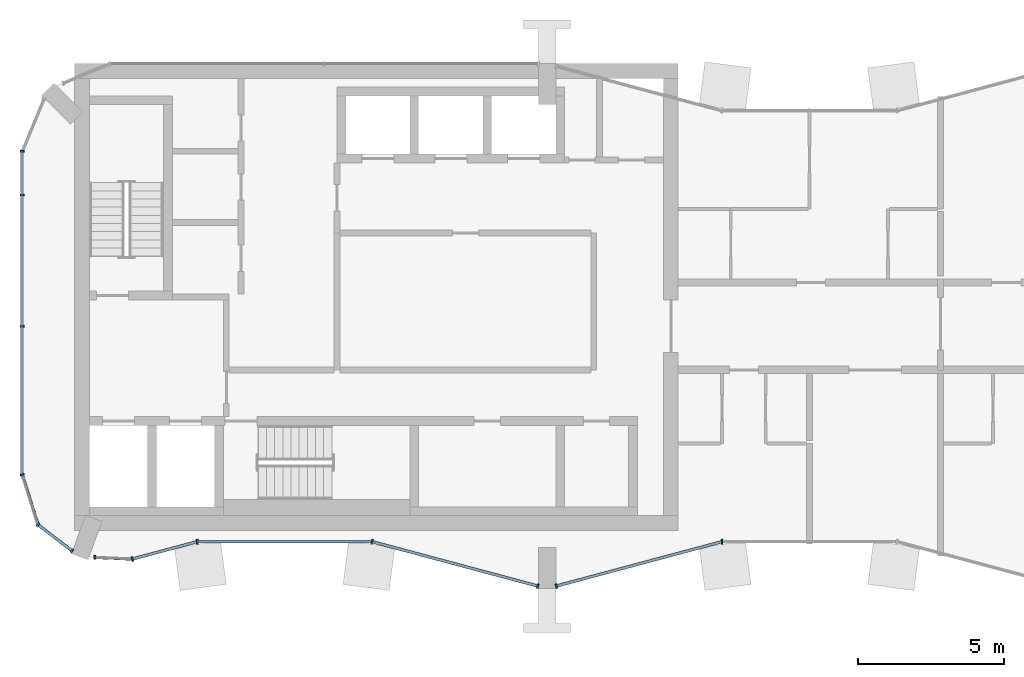
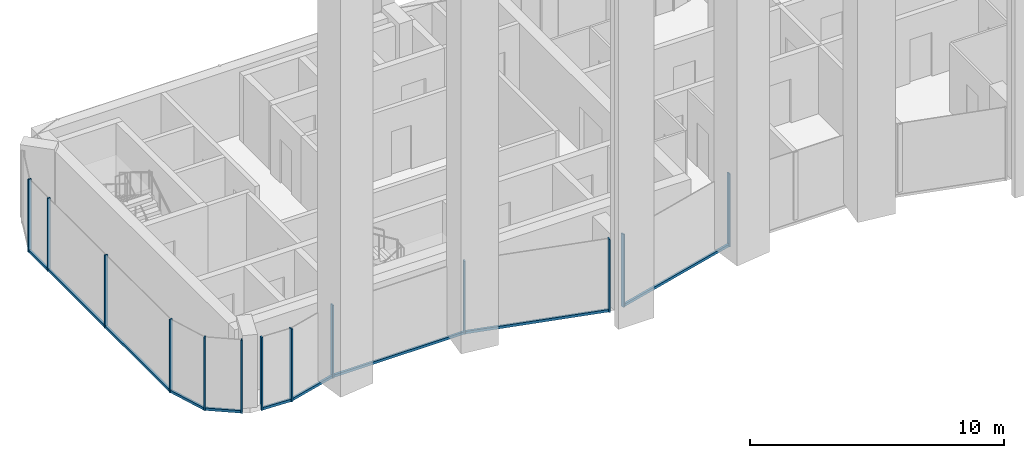
# One storey, part 2 of 11: 21 members, 9 elements without a shape of their own.
"""IFC4 building model written with IfcOpenShell, lengths in metres."""

from ifc_helpers import new_model, si_unit, direction, frame, origin, origin_2d, place, context, subcontext, project, spatial, rectangle, extrude, material, layer, layer_set, material_profile, profile_set, type_object, element, aggregate, save


model = new_model("IFC4")

# Units and contexts
model_context = context("Model", 3, precision=1e-05, world=origin(), true_north=direction((0.0, 1.0)))
body_context = subcontext(model_context, "Body", "Model", "MODEL_VIEW")
ifc_project = project(units=[si_unit("LENGTHUNIT", "METRE"), si_unit("AREAUNIT", "SQUARE_METRE"), si_unit("VOLUMEUNIT", "CUBIC_METRE"), si_unit("PLANEANGLEUNIT", "RADIAN"), si_unit("MASSUNIT", "GRAM", prefix="KILO")], contexts=[model_context])

# Site, building, storey
site_placement = place(None, origin())
site = spatial("IfcSite", under=ifc_project, at=site_placement, CompositionType="ELEMENT")
building_placement = place(site_placement, origin())
building = spatial("IfcBuilding", under=site, at=building_placement, Name="Plateau Cross Towers", CompositionType="ELEMENT")
storey_placement = place(building_placement, frame((0.0, 0.0, 242.39990234375)))
storey = spatial("IfcBuildingStorey", under=building, at=storey_placement, Name="L63", CompositionType="ELEMENT", Elevation=242.39990234375)

# Curtain wall, members
ifc_material_1 = material(Name="Dark low-iron glass", Category="glass")
ifc_layer_1 = layer(ifc_material_1, 0.239990234375)
ifc_layer_set_1 = layer_set([ifc_layer_1], Name="Dark low-iron glass")
curtain_wall_type_1 = type_object("IfcCurtainWallType", Name="Curtain wall flush unitised CW-B", PredefinedType="NOTDEFINED", material=ifc_layer_set_1)
curtain_wall_1_placement = place(storey_placement, origin())
curtain_wall_1 = element("IfcCurtainWall", 1, at=curtain_wall_1_placement, inside=storey, type_object=curtain_wall_type_1, Name="ENV/A/L63/A0_150", PredefinedType="NOTDEFINED")
ifc_material_2 = material(Name="Black anodised aluminium", Category="aluminium")
ifc_material_profile_1 = material_profile(ifc_material_2, rectangle(XDim=0.06005859375, YDim=0.139892578125, at=origin_2d()), Name="MULLION 60x140")
ifc_profile_set_1 = profile_set([ifc_material_profile_1], Name="Black anodised aluminium")
member_type_1 = type_object("IfcMemberType", Name="Mullion 60x140 flush unitised", PredefinedType="MULLION", material=ifc_profile_set_1)
member_1_placement = place(storey_placement, frame((0.0, 15.0, -0.25), z_axis=(0.0, 0.0, 1.0), x_axis=(0.0, -1.0, 0.0)))
member_1 = element("IfcMember", 2, at=member_1_placement, type_object=member_type_1, Name="CW-B mullion 1", PredefinedType="MULLION", context=body_context, shape_type="SweptSolid", body=[
    extrude(rectangle(XDim=0.06005859375, YDim=0.139892578125, at=origin_2d()), origin(), (0.0, 0.0, 1.0), 3.5),
])
member_2_placement = place(storey_placement, frame((0.0, 13.5, -0.25), z_axis=(0.0, 0.0, 1.0), x_axis=(0.0, -1.0, 0.0)))
member_2 = element("IfcMember", 3, at=member_2_placement, type_object=member_type_1, Name="CW-B mullion 2", PredefinedType="MULLION", context=body_context, shape_type="SweptSolid", body=[
    extrude(rectangle(XDim=0.06005859375, YDim=0.139892578125, at=origin_2d()), origin(), (0.0, 0.0, 1.0), 3.5),
])
member_3_placement = place(storey_placement, frame((0.0, 9.0, -0.25), z_axis=(0.0, 0.0, 1.0), x_axis=(0.0, -1.0, 0.0)))
member_3 = element("IfcMember", 4, at=member_3_placement, type_object=member_type_1, Name="CW-B mullion 3", PredefinedType="MULLION", context=body_context, shape_type="SweptSolid", body=[
    extrude(rectangle(XDim=0.06005859375, YDim=0.139892578125, at=origin_2d()), origin(), (0.0, 0.0, 1.0), 3.5),
])

# Curtain wall, member
curtain_wall_2_placement = place(storey_placement, origin())
curtain_wall_2 = element("IfcCurtainWall", 5, at=curtain_wall_2_placement, inside=storey, type_object=curtain_wall_type_1, Name="ENV/A/L63/A0_39", PredefinedType="NOTDEFINED")
member_4_placement = place(storey_placement, frame((0.0, 3.9091796875, -0.25), z_axis=(0.0, 0.0, 1.0), x_axis=(0.300686174994, -0.95372313811, 0.0)))
member_4 = element("IfcMember", 6, at=member_4_placement, type_object=member_type_1, Name="CW-B mullion 1", PredefinedType="MULLION", context=body_context, shape_type="SweptSolid", body=[
    extrude(rectangle(XDim=0.06005859375, YDim=0.139892578125, at=origin_2d()), origin(), (0.0, 0.0, 1.0), 3.5),
])

# Curtain wall, members
curtain_wall_3_placement = place(storey_placement, origin())
curtain_wall_3 = element("IfcCurtainWall", 7, at=curtain_wall_3_placement, inside=storey, type_object=curtain_wall_type_1, Name="ENV/A/L63/A5_22", PredefinedType="NOTDEFINED")
member_5_placement = place(storey_placement, frame((0.54248046875, 2.1884765625, -0.25), z_axis=(0.0, 0.0, 1.0), x_axis=(0.793315514529, -0.608810721331, 0.0)))
member_5 = element("IfcMember", 8, at=member_5_placement, type_object=member_type_1, Name="CW-B mullion 1", PredefinedType="MULLION", context=body_context, shape_type="SweptSolid", body=[
    extrude(rectangle(XDim=0.06005859375, YDim=0.139892578125, at=origin_2d()), origin(), (0.0, 0.0, 1.0), 3.5),
])
member_6_placement = place(storey_placement, frame((1.709716796875, 1.292724609375, -0.25), z_axis=(0.0, 0.0, 1.0), x_axis=(0.793315514529, -0.608810721331, 0.0)))
member_6 = element("IfcMember", 9, at=member_6_placement, type_object=member_type_1, Name="CW-B mullion 2", PredefinedType="MULLION", context=body_context, shape_type="SweptSolid", body=[
    extrude(rectangle(XDim=0.06005859375, YDim=0.139892578125, at=origin_2d()), origin(), (0.0, 0.0, 1.0), 3.5),
])

# Curtain wall, member
curtain_wall_4_placement = place(storey_placement, origin())
curtain_wall_4 = element("IfcCurtainWall", 10, at=curtain_wall_4_placement, inside=storey, type_object=curtain_wall_type_1, Name="ENV/A/L63/A25_11", PredefinedType="NOTDEFINED")
member_7_placement = place(storey_placement, frame((2.483642578125, 1.06787109375, -0.25), z_axis=(0.0, 0.0, 1.0), x_axis=(0.999043701491, -0.043722791671, 0.0)))
member_7 = element("IfcMember", 11, at=member_7_placement, type_object=member_type_1, Name="CW-B mullion 1", PredefinedType="MULLION", context=body_context, shape_type="SweptSolid", body=[
    extrude(rectangle(XDim=0.06005859375, YDim=0.139892578125, at=origin_2d()), origin(), (0.0, 0.0, 1.0), 3.5),
])

ifc_layer_2 = layer(ifc_material_1, 0.260009765625)
ifc_layer_set_2 = layer_set([ifc_layer_2], Name="Dark low-iron glass")
curtain_wall_type_2 = type_object("IfcCurtainWallType", Name="Curtain wall fluted unitised CW-A", PredefinedType="NOTDEFINED", material=ifc_layer_set_2)
curtain_wall_5_placement = place(storey_placement, origin())
curtain_wall_5 = element("IfcCurtainWall", 12, at=curtain_wall_5_placement, inside=storey, type_object=curtain_wall_type_2, Name="ENV/A/L63/A38_10", PredefinedType="NOTDEFINED")
ifc_material_profile_2 = material_profile(ifc_material_2, rectangle(XDim=0.06005859375, YDim=0.159912109375, at=origin_2d()), Name="MULLION 60x160")
ifc_profile_set_2 = profile_set([ifc_material_profile_2], Name="Black anodised aluminium")
member_type_2 = type_object("IfcMemberType", Name="Mullion 60x160 fluted unitised", PredefinedType="MULLION", material=ifc_profile_set_2)
member_8_placement = place(storey_placement, frame((3.776123046875, 1.01123046875, -0.25), z_axis=(0.0, 0.0, 1.0), x_axis=(0.965957962328, 0.258699081978, 0.0)))
member_8 = element("IfcMember", 13, at=member_8_placement, type_object=member_type_2, Name="CW-A mullion 1", PredefinedType="MULLION", context=body_context, shape_type="SweptSolid", body=[
    extrude(rectangle(XDim=0.06005859375, YDim=0.159912109375, at=origin_2d()), origin(), (0.0, 0.0, 1.0), 3.5),
])

curtain_wall_6_placement = place(storey_placement, origin())
curtain_wall_6 = element("IfcCurtainWall", 14, at=curtain_wall_6_placement, inside=storey, type_object=curtain_wall_type_2, Name="ENV/A/L63/A60_16", PredefinedType="NOTDEFINED")
member_9_placement = place(storey_placement, frame((6.0, 1.60693359375, -0.25), z_axis=(0.0, 0.0, 1.0), x_axis=(1.0, 0.0, 0.0)))
member_9 = element("IfcMember", 15, at=member_9_placement, type_object=member_type_2, Name="CW-A mullion 1", PredefinedType="MULLION", context=body_context, shape_type="SweptSolid", body=[
    extrude(rectangle(XDim=0.06005859375, YDim=0.159912109375, at=origin_2d()), origin(), (0.0, 0.0, 1.0), 3.5),
])

# Curtain wall, members
curtain_wall_7_placement = place(storey_placement, origin())
curtain_wall_7 = element("IfcCurtainWall", 16, at=curtain_wall_7_placement, inside=storey, type_object=curtain_wall_type_2, Name="ENV/A/L63/A120_16", PredefinedType="NOTDEFINED")
member_10_placement = place(storey_placement, frame((12.0, 1.60693359375, -0.25), z_axis=(0.0, 0.0, 1.0), x_axis=(0.965957983404, -0.258699003279, 0.0)))
member_10 = element("IfcMember", 17, at=member_10_placement, type_object=member_type_2, Name="CW-A mullion 1", PredefinedType="MULLION", context=body_context, shape_type="SweptSolid", body=[
    extrude(rectangle(XDim=0.06005859375, YDim=0.159912109375, at=origin_2d()), origin(), (0.0, 0.0, 1.0), 3.5),
])
member_11_placement = place(storey_placement, frame((17.68212890625, 0.085205078125, -0.25), z_axis=(0.0, 0.0, 1.0), x_axis=(0.965957983404, -0.258699003279, 0.0)))
member_11 = element("IfcMember", 18, at=member_11_placement, type_object=member_type_2, Name="CW-A mullion 2", PredefinedType="MULLION", context=body_context, shape_type="SweptSolid", body=[
    extrude(rectangle(XDim=0.06005859375, YDim=0.159912109375, at=origin_2d()), origin(), (0.0, 0.0, 1.0), 3.5),
])

# Curtain wall, member
curtain_wall_8_placement = place(storey_placement, origin())
curtain_wall_8 = element("IfcCurtainWall", 19, at=curtain_wall_8_placement, inside=storey, type_object=curtain_wall_type_2, Name="ENV/A/L63/A183_1", PredefinedType="NOTDEFINED")
member_12_placement = place(storey_placement, frame((18.31787109375, 0.085205078125, -0.25), z_axis=(0.0, 0.0, 1.0), x_axis=(0.965957983404, 0.258699003279, 0.0)))
member_12 = element("IfcMember", 20, at=member_12_placement, type_object=member_type_2, Name="CW-A mullion 1", PredefinedType="MULLION", context=body_context, shape_type="SweptSolid", body=[
    extrude(rectangle(XDim=0.06005859375, YDim=0.159912109375, at=origin_2d()), origin(), (0.0, 0.0, 1.0), 3.5),
])

curtain_wall_9_placement = place(storey_placement, origin())
curtain_wall_9 = element("IfcCurtainWall", 21, at=curtain_wall_9_placement, inside=storey, type_object=curtain_wall_type_2, Name="ENV/A/L63/A240_16", PredefinedType="NOTDEFINED")
member_13_placement = place(storey_placement, frame((24.0, 1.60693359375, -0.25), z_axis=(0.0, 0.0, 1.0), x_axis=(1.0, 0.0, 0.0)))
member_13 = element("IfcMember", 22, at=member_13_placement, type_object=member_type_2, Name="CW-A mullion 1", PredefinedType="MULLION", context=body_context, shape_type="SweptSolid", body=[
    extrude(rectangle(XDim=0.06005859375, YDim=0.159912109375, at=origin_2d()), origin(), (0.0, 0.0, 1.0), 3.5),
])
aggregate(curtain_wall_9, [member_13])

# Member
ifc_material_profile_3 = material_profile(ifc_material_2, rectangle(XDim=0.10009765625, YDim=0.1201171875, at=origin_2d()), Name="TRANSOM 100x120")
ifc_profile_set_3 = profile_set([ifc_material_profile_3], Name="Black anodised aluminium")
member_type_3 = type_object("IfcMemberType", Name="Transom 100x120 flush unitised", PredefinedType="USERDEFINED", material=ifc_profile_set_3)
member_14_placement = place(storey_placement, frame((0.0, 15.0, -0.18994140625), z_axis=(0.0, -1.0, 0.0), x_axis=(1.0, 0.0, 0.0)))
member_14 = element("IfcMember", 23, at=member_14_placement, type_object=member_type_3, Name="CW-B transom", ObjectType="TRANSOM", PredefinedType="USERDEFINED", context=body_context, shape_type="SweptSolid", body=[
    extrude(rectangle(XDim=0.10009765625, YDim=0.1201171875, at=origin_2d()), origin(), (0.0, 0.0, 1.0), 11.0908203125),
])

aggregate(curtain_wall_1, [member_1, member_2, member_3, member_14])

member_15_placement = place(storey_placement, frame((0.0, 3.9091796875, -0.18994140625), z_axis=(0.30067799945, -0.953725715626, 0.0), x_axis=(0.953725715626, 0.30067799945, 0.0)))
member_15 = element("IfcMember", 24, at=member_15_placement, type_object=member_type_3, Name="CW-B transom", ObjectType="TRANSOM", PredefinedType="USERDEFINED", context=body_context, shape_type="SweptSolid", body=[
    extrude(rectangle(XDim=0.10009765625, YDim=0.1201171875, at=origin_2d()), origin(), (0.0, 0.0, 1.0), 1.80419921875),
])

aggregate(curtain_wall_2, [member_4, member_15])

member_16_placement = place(storey_placement, frame((0.54248046875, 2.1884765625, -0.18994140625), z_axis=(0.793320508571, -0.608804213751, 0.0), x_axis=(0.608804213751, 0.793320508571, 0.0)))
member_16 = element("IfcMember", 25, at=member_16_placement, type_object=member_type_3, Name="CW-B transom", ObjectType="TRANSOM", PredefinedType="USERDEFINED", context=body_context, shape_type="SweptSolid", body=[
    extrude(rectangle(XDim=0.10009765625, YDim=0.1201171875, at=origin_2d()), origin(), (0.0, 0.0, 1.0), 1.471435546875),
])

aggregate(curtain_wall_3, [member_5, member_6, member_16])

member_17_placement = place(storey_placement, frame((2.483642578125, 1.06787109375, -0.18994140625), z_axis=(0.999041144614, -0.043781175963, 0.0), x_axis=(0.043781175963, 0.999041144614, 0.0)))
member_17 = element("IfcMember", 26, at=member_17_placement, type_object=member_type_3, Name="CW-B transom", ObjectType="TRANSOM", PredefinedType="USERDEFINED", context=body_context, shape_type="SweptSolid", body=[
    extrude(rectangle(XDim=0.10009765625, YDim=0.1201171875, at=origin_2d()), origin(), (0.0, 0.0, 1.0), 1.293701171875),
])

aggregate(curtain_wall_4, [member_7, member_17])

ifc_material_profile_4 = material_profile(ifc_material_2, rectangle(XDim=0.10009765625, YDim=0.1201171875, at=origin_2d()), Name="TRANSOM 100x120")
ifc_profile_set_4 = profile_set([ifc_material_profile_4], Name="Black anodised aluminium")
member_type_4 = type_object("IfcMemberType", Name="Transom 100x120 fluted unitised", PredefinedType="USERDEFINED", material=ifc_profile_set_4)
member_18_placement = place(storey_placement, frame((3.776123046875, 1.01123046875, -0.18994140625), z_axis=(0.965945685136, 0.258744919501, 0.0), x_axis=(-0.258744919501, 0.965945685136, 0.0)))
member_18 = element("IfcMember", 27, at=member_18_placement, type_object=member_type_4, Name="CW-A transom", ObjectType="TRANSOM", PredefinedType="USERDEFINED", context=body_context, shape_type="SweptSolid", body=[
    extrude(rectangle(XDim=0.10009765625, YDim=0.1201171875, at=origin_2d()), origin(), (0.0, 0.0, 1.0), 2.30224609375),
])

aggregate(curtain_wall_5, [member_8, member_18])

member_19_placement = place(storey_placement, frame((6.0, 1.60693359375, -0.18994140625), z_axis=(1.0, 0.0, 0.0), x_axis=(0.0, 1.0, 0.0)))
member_19 = element("IfcMember", 28, at=member_19_placement, type_object=member_type_4, Name="CW-A transom", ObjectType="TRANSOM", PredefinedType="USERDEFINED", context=body_context, shape_type="SweptSolid", body=[
    extrude(rectangle(XDim=0.10009765625, YDim=0.1201171875, at=origin_2d()), origin(), (0.0, 0.0, 1.0), 6.0),
])

aggregate(curtain_wall_6, [member_9, member_19])

member_20_placement = place(storey_placement, frame((12.0, 1.60693359375, -0.18994140625), z_axis=(0.965959534794, -0.258693210465, 0.0), x_axis=(0.258693210465, 0.965959534794, 0.0)))
member_20 = element("IfcMember", 29, at=member_20_placement, type_object=member_type_4, Name="CW-A transom", ObjectType="TRANSOM", PredefinedType="USERDEFINED", context=body_context, shape_type="SweptSolid", body=[
    extrude(rectangle(XDim=0.10009765625, YDim=0.1201171875, at=origin_2d()), origin(), (0.0, 0.0, 1.0), 5.88232421875),
])

aggregate(curtain_wall_7, [member_10, member_11, member_20])

member_21_placement = place(storey_placement, frame((18.31787109375, 0.085205078125, -0.18994140625), z_axis=(0.965959534794, 0.258693210465, 0.0), x_axis=(-0.258693210465, 0.965959534794, 0.0)))
member_21 = element("IfcMember", 30, at=member_21_placement, type_object=member_type_4, Name="CW-A transom", ObjectType="TRANSOM", PredefinedType="USERDEFINED", context=body_context, shape_type="SweptSolid", body=[
    extrude(rectangle(XDim=0.10009765625, YDim=0.1201171875, at=origin_2d()), origin(), (0.0, 0.0, 1.0), 5.88232421875),
])

aggregate(curtain_wall_8, [member_12, member_21])

save(model, "model.ifc")
